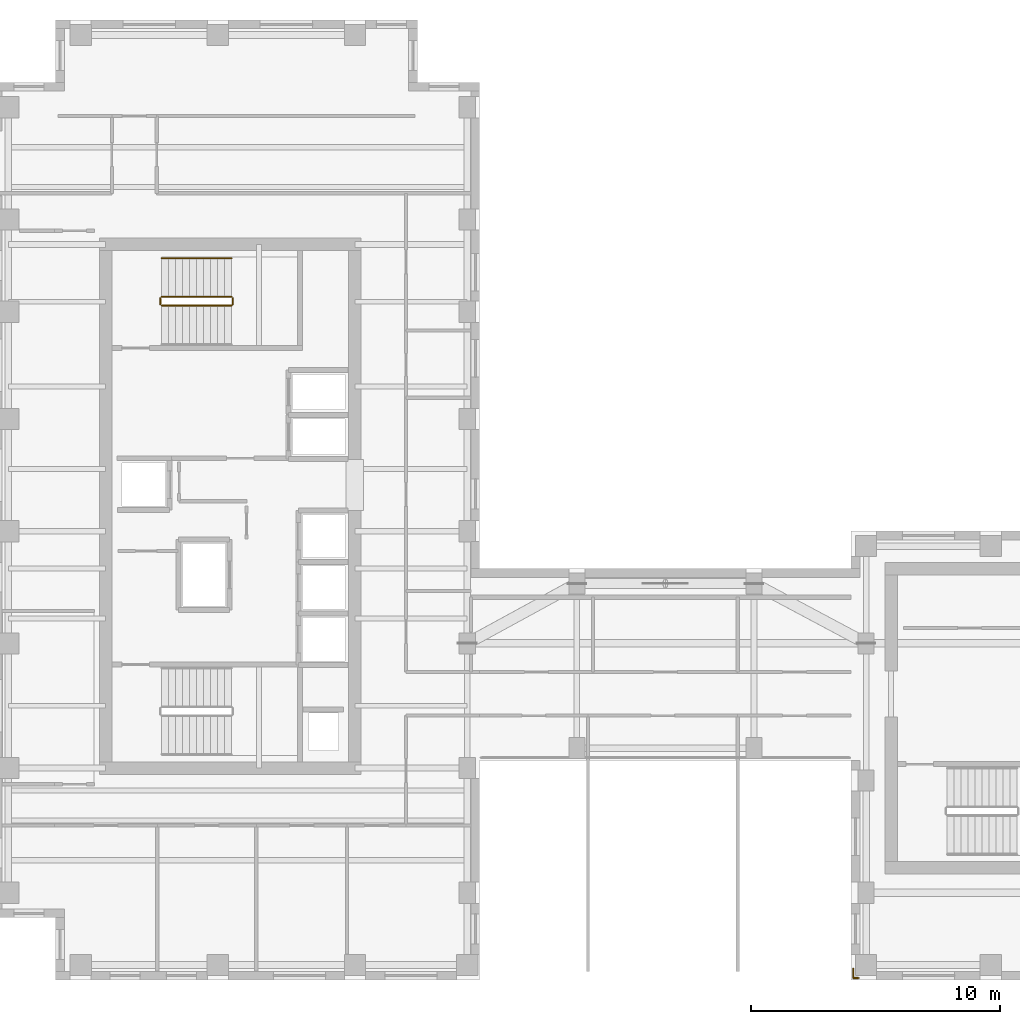
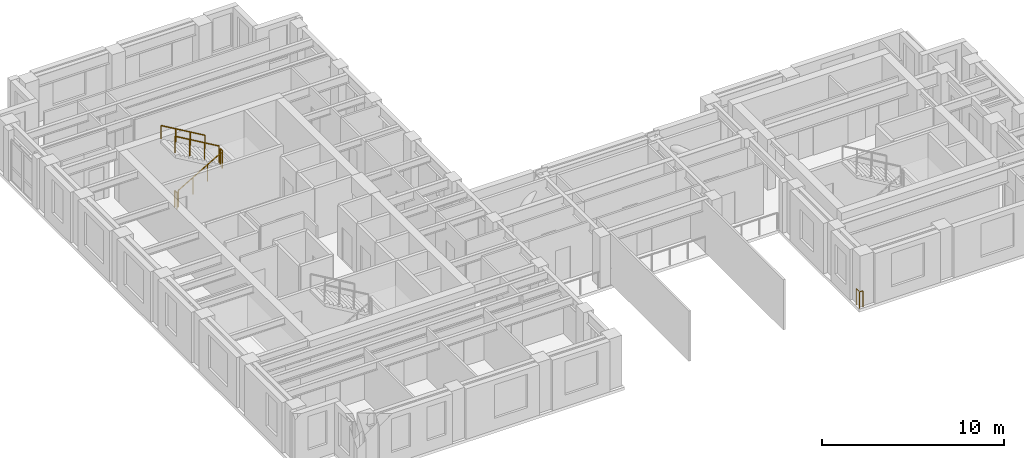
# One storey, part 13 of 14: 6 railings.
"""IFC4 building model written with IfcOpenShell, lengths in metres."""

from ifc_helpers import new_model, si_unit, direction, frame, origin, origin_2d, place, context, subcontext, project, spatial, circle, extrude, source, transform, mapped, material, layer, layer_set, type_object, element, save


model = new_model("IFC4")

# Units and contexts
model_context = context("Model", 3, precision=1e-05, world=origin(), true_north=direction((0.0, 1.0)))
body_context = subcontext(model_context, "Body", "Model", "MODEL_VIEW")
ifc_project = project(units=[si_unit("LENGTHUNIT", "METRE"), si_unit("AREAUNIT", "SQUARE_METRE"), si_unit("VOLUMEUNIT", "CUBIC_METRE"), si_unit("PLANEANGLEUNIT", "RADIAN"), si_unit("MASSUNIT", "GRAM", prefix="KILO")], contexts=[model_context])

# Site, building, storey
site_placement = place(None, origin())
site = spatial("IfcSite", under=ifc_project, at=site_placement, CompositionType="ELEMENT")
building_placement = place(site_placement, origin())
building = spatial("IfcBuilding", under=site, at=building_placement, Name="Kharzan Plaza Tower", CompositionType="ELEMENT")
storey_placement = place(building_placement, frame((0.0, 0.0, 241.199951171875)))
storey = spatial("IfcBuildingStorey", under=building, at=storey_placement, Name="L65", CompositionType="ELEMENT", Elevation=241.199951171875)

# Railings
ifc_material_1 = material(Name="Painted Galvanized Architectural Steel", Category="steel")
ifc_layer_1 = layer(ifc_material_1, 0.074951171875)
ifc_layer_set_1 = layer_set([ifc_layer_1], Name="Painted Galvanized Architectural Steel")
railing_type_1 = type_object("IfcRailingType", Name="RL-GUARD-1120", PredefinedType="BALUSTRADE", material=ifc_layer_set_1)
shared_shape_1 = source(origin(), body_context, "Body", "SweptSolid", [
    extrude(circle(Radius=0.02392578125, at=origin_2d()), frame((0.0, 0.0263671875, 1.09619140625), z_axis=(0.0, 1.0, 0.0), x_axis=(-1.0, 0.0, 0.0)), (0.0, 0.0, 1.0), 0.197021484375),
    extrude(circle(Radius=0.02099609375, at=origin_2d()), origin(), (0.0, 0.0, 1.0), 1.072021484375),
    extrude(circle(Radius=0.02099609375, at=origin_2d()), frame((0.0, 0.25, 0.0)), (0.0, 0.0, 1.0), 1.072021484375),
])
for number, where, name in (
    (1, (9.60009765625, 27.10009765625, 1.800048828125), "L65 ST-2 stair guard 2"),
    (2, (6.699951171875, 27.10009765625, 0.0), "L65 ST-2 stair guard 4"),
):
    element("IfcRailing", number, at=place(storey_placement, frame(where)), inside=storey, type_object=railing_type_1, Name=name, PredefinedType="BALUSTRADE", context=body_context, shape_type="MappedRepresentation", body=[
        mapped(shared_shape_1, transform((0.0, 0.0, 0.0), x_axis=(1.0, 0.0, 0.0), y_axis=(0.0, 1.0, 0.0), z_axis=(0.0, 0.0, 1.0))),
    ])
shared_shape_2 = source(origin(), body_context, "Body", "SweptSolid", [
    extrude(circle(Radius=0.02392578125, at=origin_2d()), frame((0.02294921875, 0.0, 1.109375), z_axis=(0.863360870873, 0.0, 0.504586966384), x_axis=(0.0, 1.0, 0.0)), (0.0, 0.0, 1.0), 3.190185546875),
    extrude(circle(Radius=0.02099609375, at=origin_2d()), origin(), (0.0, 0.0, 1.0), 1.072021484375),
    extrude(circle(Radius=0.02099609375, at=origin_2d()), frame((0.933349609375, 0.0, 0.54541015625)), (0.0, 0.0, 1.0), 1.072021484375),
    extrude(circle(Radius=0.02099609375, at=origin_2d()), frame((1.86669921875, 0.0, 1.091064453125)), (0.0, 0.0, 1.0), 1.072021484375),
    extrude(circle(Radius=0.02099609375, at=origin_2d()), frame((2.800048828125, 0.0, 1.636474609375)), (0.0, 0.0, 1.0), 1.072021484375),
])
railing_1_placement = place(storey_placement, frame((6.75, 27.050048828125, 0.16357421875)))
element("IfcRailing", 3, at=railing_1_placement, inside=storey, type_object=railing_type_1, Name="L65 ST-2 stair guard 1", PredefinedType="BALUSTRADE", context=body_context, shape_type="MappedRepresentation", body=[
    mapped(shared_shape_2, transform((0.0, 0.0, 0.0), x_axis=(1.0, 0.0, 0.0), y_axis=(0.0, 1.0, 0.0), z_axis=(0.0, 0.0, 1.0))),
])
shared_shape_3 = source(origin(), body_context, "Body", "SweptSolid", [
    extrude(circle(Radius=0.02392578125, at=origin_2d()), frame((-0.02294921875, 0.0, 1.109375), z_axis=(-0.863360870873, 0.0, 0.504586966384), x_axis=(0.0, -1.0, 0.0)), (0.0, 0.0, 1.0), 3.190185546875),
    extrude(circle(Radius=0.02099609375, at=origin_2d()), origin(), (0.0, 0.0, 1.0), 1.072021484375),
    extrude(circle(Radius=0.02099609375, at=origin_2d()), frame((-0.933349609375, 0.0, 0.54541015625)), (0.0, 0.0, 1.0), 1.072021484375),
    extrude(circle(Radius=0.02099609375, at=origin_2d()), frame((-1.86669921875, 0.0, 1.091064453125)), (0.0, 0.0, 1.0), 1.072021484375),
    extrude(circle(Radius=0.02099609375, at=origin_2d()), frame((-2.800048828125, 0.0, 1.636474609375)), (0.0, 0.0, 1.0), 1.072021484375),
])
railing_2_placement = place(storey_placement, frame((9.550048828125, 27.39990234375, 1.963623046875)))
element("IfcRailing", 4, at=railing_2_placement, inside=storey, type_object=railing_type_1, Name="L65 ST-2 stair guard 3", PredefinedType="BALUSTRADE", context=body_context, shape_type="MappedRepresentation", body=[
    mapped(shared_shape_3, transform((0.0, 0.0, 0.0), x_axis=(1.0, 0.0, 0.0), y_axis=(0.0, 1.0, 0.0), z_axis=(0.0, 0.0, 1.0))),
])
ifc_material_2 = material(Name="Brushed Stainless Steel", Category="steel")
ifc_layer_2 = layer(ifc_material_2, 0.050048828125)
ifc_layer_set_2 = layer_set([ifc_layer_2], Name="Brushed Stainless Steel")
railing_type_2 = type_object("IfcRailingType", Name="RL-STAIR-HR920", PredefinedType="HANDRAIL", material=ifc_layer_set_2)
shared_shape_4 = source(origin(), body_context, "Body", "SweptSolid", [
    extrude(circle(Radius=0.02392578125, at=origin_2d()), frame((-0.02294921875, 0.0, 0.88916015625), z_axis=(-0.863360870873, 0.0, 0.504586966384), x_axis=(0.0, -1.0, 0.0)), (0.0, 0.0, 1.0), 3.190185546875),
    extrude(circle(Radius=0.02099609375, at=origin_2d()), origin(), (0.0, 0.0, 1.0), 0.851806640625),
    extrude(circle(Radius=0.02099609375, at=origin_2d()), frame((-0.933349609375, 0.0, 0.54541015625)), (0.0, 0.0, 1.0), 0.851806640625),
    extrude(circle(Radius=0.02099609375, at=origin_2d()), frame((-1.86669921875, 0.0, 1.091064453125)), (0.0, 0.0, 1.0), 0.851806640625),
    extrude(circle(Radius=0.02099609375, at=origin_2d()), frame((-2.800048828125, 0.0, 1.636474609375)), (0.0, 0.0, 1.0), 0.851806640625),
])
railing_3_placement = place(storey_placement, frame((9.550048828125, 28.949951171875, 1.963623046875)))
element("IfcRailing", 5, at=railing_3_placement, inside=storey, type_object=railing_type_2, Name="L65 ST-2 stair handrail 2", PredefinedType="HANDRAIL", context=body_context, shape_type="MappedRepresentation", body=[
    mapped(shared_shape_4, transform((0.0, 0.0, 0.0), x_axis=(1.0, 0.0, 0.0), y_axis=(0.0, 1.0, 0.0), z_axis=(0.0, 0.0, 1.0))),
])
shared_shape_5 = source(origin(), body_context, "Body", "SweptSolid", [
    extrude(circle(Radius=0.02392578125, at=origin_2d()), frame((-0.0263671875, 0.0, 1.09619140625), z_axis=(-1.0, 0.0, 0.0), x_axis=(0.0, -1.0, 0.0)), (0.0, 0.0, 1.0), 0.1669921875),
    extrude(circle(Radius=0.02392578125, at=origin_2d()), frame((-0.219970703125, 0.0263671875, 1.09619140625), z_axis=(0.0, 1.0, 0.0), x_axis=(-1.0, 0.0, 0.0)), (0.0, 0.0, 1.0), 0.31689453125),
    extrude(circle(Radius=0.02099609375, at=origin_2d()), origin(), (0.0, 0.0, 1.0), 1.072021484375),
    extrude(circle(Radius=0.02099609375, at=origin_2d()), frame((-0.219970703125, 0.0, 0.0)), (0.0, 0.0, 1.0), 1.072021484375),
    extrude(circle(Radius=0.02099609375, at=origin_2d()), frame((-0.219970703125, 0.369873046875, 0.0)), (0.0, 0.0, 1.0), 1.072021484375),
])
railing_4_placement = place(storey_placement, frame((34.699951171875, 0.080078125, 0.0)))
element("IfcRailing", 6, at=railing_4_placement, inside=storey, type_object=railing_type_1, Name="L65 South-West Wing B Slot Corner Safety Guard", PredefinedType="BALUSTRADE", context=body_context, shape_type="MappedRepresentation", body=[
    mapped(shared_shape_5, transform((0.0, 0.0, 0.0), x_axis=(1.0, 0.0, 0.0), y_axis=(0.0, 1.0, 0.0), z_axis=(0.0, 0.0, 1.0))),
])

save(model, "model.ifc")
